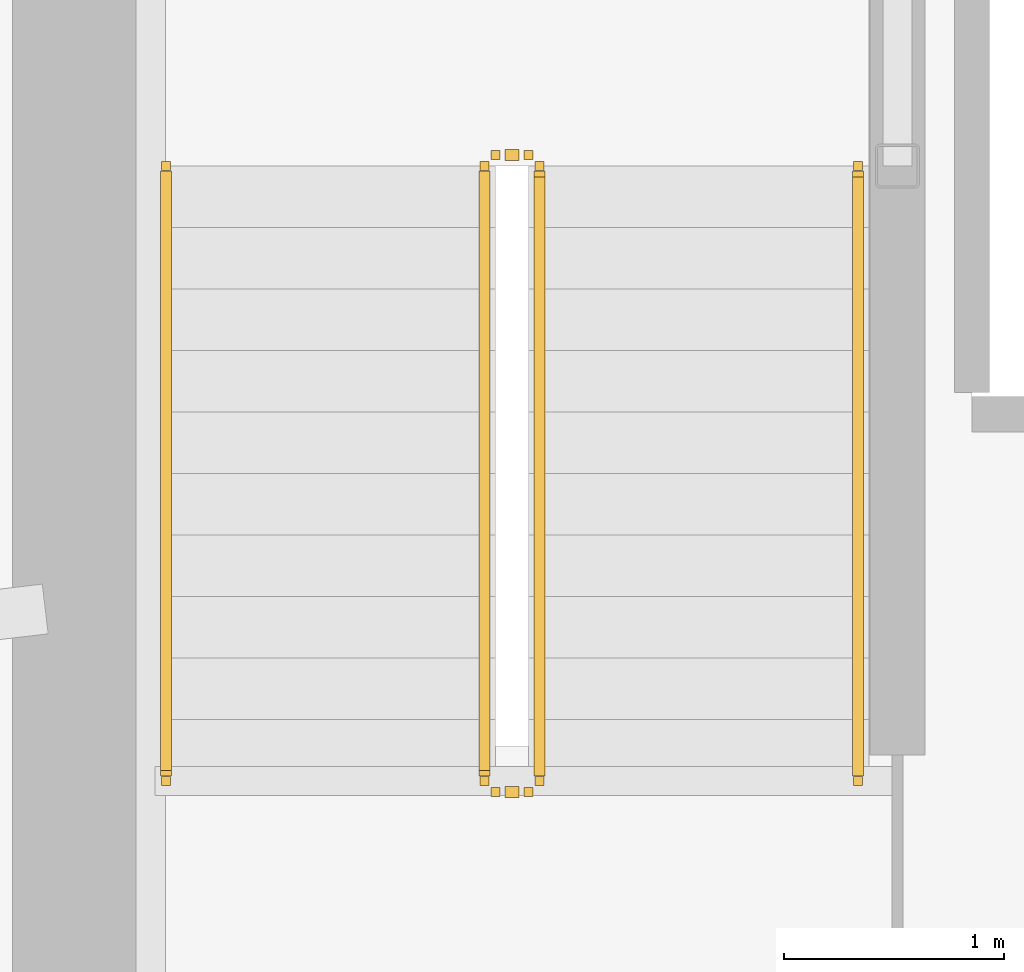
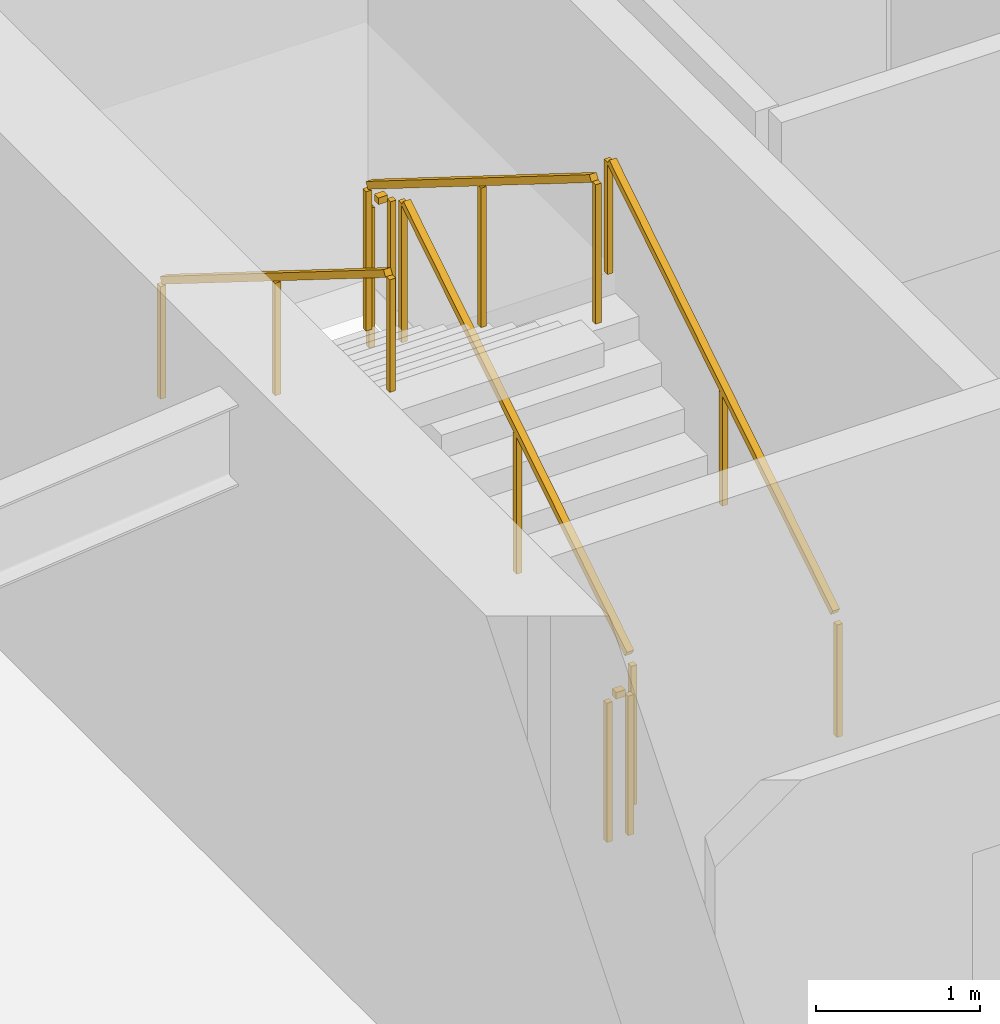
# One storey, part 26 of 31: 6 railings.
"""IFC4 building model written with IfcOpenShell, lengths in metres."""

from ifc_helpers import new_model, si_unit, direction, frame, origin, origin_2d, place, context, subcontext, project, spatial, rectangle, extrude, material, type_object, element, save


model = new_model("IFC4")

# Units and contexts
model_context = context("Model", 3, precision=1e-05, world=origin(), true_north=direction((0.0, 1.0)))
body_context = subcontext(model_context, "Body", "Model", "MODEL_VIEW")
ifc_project = project(units=[si_unit("LENGTHUNIT", "METRE"), si_unit("AREAUNIT", "SQUARE_METRE"), si_unit("VOLUMEUNIT", "CUBIC_METRE"), si_unit("PLANEANGLEUNIT", "RADIAN"), si_unit("MASSUNIT", "GRAM", prefix="KILO")], contexts=[model_context])

# Site, building, storey
site_placement = place(None, origin())
site = spatial("IfcSite", under=ifc_project, at=site_placement, CompositionType="ELEMENT")
building_placement = place(site_placement, origin())
building = spatial("IfcBuilding", under=site, at=building_placement, Name="Kazma Halo Residences", CompositionType="ELEMENT")
storey_placement = place(building_placement, frame((0.0, 0.0, 259.800048828125)))
storey = spatial("IfcBuildingStorey", under=building, at=storey_placement, Name="L65", CompositionType="ELEMENT", Elevation=259.800048828125)

# Railings
ifc_material_1 = material(Name="Painted Steel S355", Category="steel")
railing_type_1 = type_object("IfcRailingType", Name="RLG-STAIR-GRD-1100", PredefinedType="GUARDRAIL", material=ifc_material_1)
railing_1_placement = place(storey_placement, frame((39.550048828125, 39.949951171875, 0.175048828125)))
element("IfcRailing", 1, at=railing_1_placement, inside=storey, type_object=railing_type_1, Name="L65 ST-01 stair guard 1", PredefinedType="GUARDRAIL", context=body_context, shape_type="SweptSolid", body=[
    extrude(rectangle(XDim=0.050048828125, YDim=0.050048828125, at=origin_2d()), frame((0.0, 0.0361328125, 1.09765625), z_axis=(0.0, 0.848002457836, 0.529992293815), x_axis=(-1.0, 0.0, 0.0)), (0.0, 0.0, 1.0), 3.216796875),
    extrude(rectangle(XDim=0.0400390625, YDim=0.0400390625, at=origin_2d()), origin(), (0.0, 0.0, 1.0), 1.0380859375),
    extrude(rectangle(XDim=0.0400390625, YDim=0.0400390625, at=origin_2d()), frame((0.0, 1.39990234375, 0.875)), (0.0, 0.0, 1.0), 1.0380859375),
    extrude(rectangle(XDim=0.0400390625, YDim=0.0400390625, at=origin_2d()), frame((0.0, 2.800048828125, 1.75)), (0.0, 0.0, 1.0), 1.0380859375),
])
railing_2_placement = place(storey_placement, frame((39.5, 42.800048828125, 1.925048828125)))
element("IfcRailing", 2, at=railing_2_placement, inside=storey, type_object=railing_type_1, Name="L65 ST-01 stair guard 2", PredefinedType="GUARDRAIL", context=body_context, shape_type="SweptSolid", body=[
    extrude(rectangle(XDim=0.050048828125, YDim=0.050048828125, at=origin_2d()), frame((-0.04248046875, 0.0, 1.0751953125), z_axis=(-1.0, 0.0, 0.0), x_axis=(0.0, -1.0, 0.0)), (0.0, 0.0, 1.0), 0.06494140625),
    extrude(rectangle(XDim=0.0400390625, YDim=0.0400390625, at=origin_2d()), origin(), (0.0, 0.0, 1.0), 1.0380859375),
    extrude(rectangle(XDim=0.0400390625, YDim=0.0400390625, at=origin_2d()), frame((-0.14990234375, 0.0, 0.0)), (0.0, 0.0, 1.0), 1.0380859375),
])
railing_3_placement = place(storey_placement, frame((39.300048828125, 42.75, 2.099853515625)))
element("IfcRailing", 3, at=railing_3_placement, inside=storey, type_object=railing_type_1, Name="L65 ST-01 stair guard 3", PredefinedType="GUARDRAIL", context=body_context, shape_type="SweptSolid", body=[
    extrude(rectangle(XDim=0.050048828125, YDim=0.050048828125, at=origin_2d()), frame((0.0, -0.0361328125, 1.09765625), z_axis=(0.0, -0.848002457836, 0.529992293815), x_axis=(1.0, 0.0, 0.0)), (0.0, 0.0, 1.0), 3.216796875),
    extrude(rectangle(XDim=0.0400390625, YDim=0.0400390625, at=origin_2d()), origin(), (0.0, 0.0, 1.0), 1.0380859375),
    extrude(rectangle(XDim=0.0400390625, YDim=0.0400390625, at=origin_2d()), frame((0.0, -1.39990234375, 0.875)), (0.0, 0.0, 1.0), 1.0380859375),
    extrude(rectangle(XDim=0.0400390625, YDim=0.0400390625, at=origin_2d()), frame((0.0, -2.800048828125, 1.75)), (0.0, 0.0, 1.0), 1.0380859375),
])
railing_4_placement = place(storey_placement, frame((39.5, 39.89990234375, 0.0)))
element("IfcRailing", 4, at=railing_4_placement, inside=storey, type_object=railing_type_1, Name="L65 ST-01 stair guard 4", PredefinedType="GUARDRAIL", context=body_context, shape_type="SweptSolid", body=[
    extrude(rectangle(XDim=0.050048828125, YDim=0.050048828125, at=origin_2d()), frame((-0.04248046875, 0.0, 1.0751953125), z_axis=(-1.0, 0.0, 0.0), x_axis=(0.0, -1.0, 0.0)), (0.0, 0.0, 1.0), 0.06494140625),
    extrude(rectangle(XDim=0.0400390625, YDim=0.0400390625, at=origin_2d()), origin(), (0.0, 0.0, 1.0), 1.0380859375),
    extrude(rectangle(XDim=0.0400390625, YDim=0.0400390625, at=origin_2d()), frame((-0.14990234375, 0.0, 0.0)), (0.0, 0.0, 1.0), 1.0380859375),
])
ifc_material_2 = material(Name="Brushed Stainless Steel", Category="steel")
railing_type_2 = type_object("IfcRailingType", Name="RLG-STAIR-HND-900", PredefinedType="HANDRAIL", material=ifc_material_2)
railing_5_placement = place(storey_placement, frame((41.0, 39.949951171875, 0.175048828125)))
element("IfcRailing", 5, at=railing_5_placement, inside=storey, type_object=railing_type_2, Name="L65 ST-01 stair handrail 1", PredefinedType="HANDRAIL", context=body_context, shape_type="SweptSolid", body=[
    extrude(rectangle(XDim=0.050048828125, YDim=0.050048828125, at=origin_2d()), frame((0.0, 0.0361328125, 0.8974609375), z_axis=(0.0, 0.848002457836, 0.529992293815), x_axis=(-1.0, 0.0, 0.0)), (0.0, 0.0, 1.0), 3.216796875),
    extrude(rectangle(XDim=0.0400390625, YDim=0.0400390625, at=origin_2d()), origin(), (0.0, 0.0, 1.0), 0.837890625),
    extrude(rectangle(XDim=0.0400390625, YDim=0.0400390625, at=origin_2d()), frame((0.0, 1.39990234375, 0.875)), (0.0, 0.0, 1.0), 0.837890625),
    extrude(rectangle(XDim=0.0400390625, YDim=0.0400390625, at=origin_2d()), frame((0.0, 2.800048828125, 1.75)), (0.0, 0.0, 1.0), 0.837890625),
])
railing_6_placement = place(storey_placement, frame((37.85009765625, 42.75, 2.099853515625)))
element("IfcRailing", 6, at=railing_6_placement, inside=storey, type_object=railing_type_2, Name="L65 ST-01 stair handrail 2", PredefinedType="HANDRAIL", context=body_context, shape_type="SweptSolid", body=[
    extrude(rectangle(XDim=0.050048828125, YDim=0.050048828125, at=origin_2d()), frame((0.0, -0.0361328125, 0.8974609375), z_axis=(0.0, -0.848002457836, 0.529992293815), x_axis=(1.0, 0.0, 0.0)), (0.0, 0.0, 1.0), 3.216796875),
    extrude(rectangle(XDim=0.0400390625, YDim=0.0400390625, at=origin_2d()), origin(), (0.0, 0.0, 1.0), 0.837890625),
    extrude(rectangle(XDim=0.0400390625, YDim=0.0400390625, at=origin_2d()), frame((0.0, -1.39990234375, 0.875)), (0.0, 0.0, 1.0), 0.837890625),
    extrude(rectangle(XDim=0.0400390625, YDim=0.0400390625, at=origin_2d()), frame((0.0, -2.800048828125, 1.75)), (0.0, 0.0, 1.0), 0.837890625),
])

save(model, "model.ifc")
